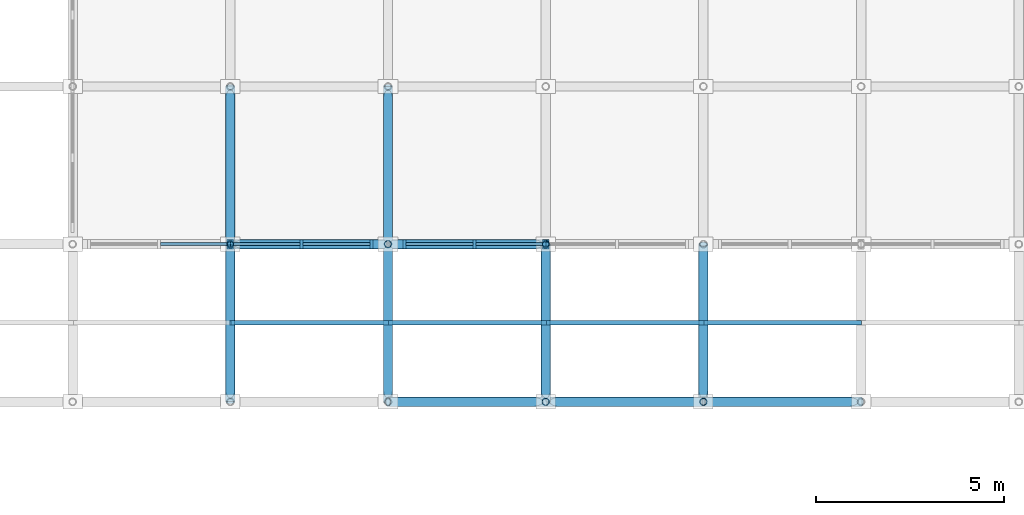
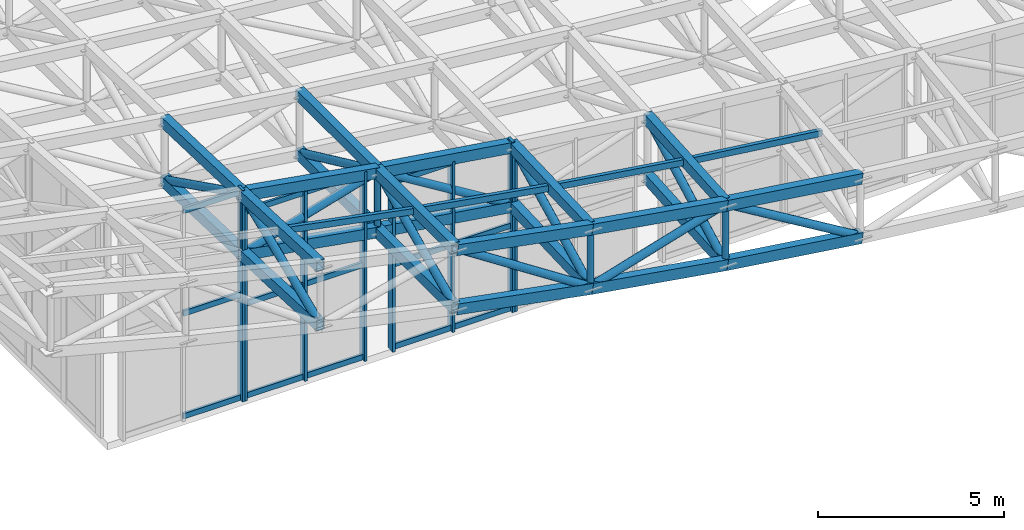
# One storey, part 23 of 111: 65 members, 4 elements without a shape of their own.
"""IFC4 building model written with IfcOpenShell, lengths in metres."""

from ifc_helpers import new_model, si_unit, direction, frame, origin, origin_2d, place, context, subcontext, project, spatial, rectangle, hollow_rectangle, hollow_circle, extrude, material, material_profile, profile_set, type_object, element, aggregate, save


model = new_model("IFC4")

# Units and contexts
model_context = context("Model", 3, precision=1e-05, world=origin(), true_north=direction((0.0, 1.0)))
body_context = subcontext(model_context, "Body", "Model", "MODEL_VIEW")
ifc_project = project(units=[si_unit("LENGTHUNIT", "METRE"), si_unit("AREAUNIT", "SQUARE_METRE"), si_unit("VOLUMEUNIT", "CUBIC_METRE"), si_unit("PLANEANGLEUNIT", "RADIAN"), si_unit("MASSUNIT", "GRAM", prefix="KILO")], contexts=[model_context])

# Site, building, storey
site_placement = place(None, origin())
site = spatial("IfcSite", under=ifc_project, at=site_placement, CompositionType="ELEMENT")
building_placement = place(site_placement, origin())
building = spatial("IfcBuilding", under=site, at=building_placement, Name="Cumbredor Promenade Congress Hotel", CompositionType="ELEMENT")
storey_placement = place(building_placement, frame((0.0, 0.0, 15.1201171875)))
storey = spatial("IfcBuildingStorey", under=building, at=storey_placement, Name="L04", CompositionType="ELEMENT", Elevation=15.1201171875)

# Curtain wall, member
ifc_material_1 = material(Name="Thermally broken anodized aluminium and low-E glass", Category="aluminium")
curtain_wall_type = type_object("IfcCurtainWallType", Name="Stepped Pavilion Clerestory Curtain Wall CW-06", PredefinedType="NOTDEFINED", material=ifc_material_1)
curtain_wall_1_placement = place(storey_placement, origin())
curtain_wall_1 = element("IfcCurtainWall", 1, at=curtain_wall_1_placement, inside=storey, type_object=curtain_wall_type, Name="Pre-Function and Breakout Meeting Forum S Glazed Clerestory 1", PredefinedType="NOTDEFINED")
ifc_material_2 = material(Name="Thermally broken anodized aluminium", Category="aluminium")
ifc_material_profile_1 = material_profile(ifc_material_2, rectangle(XDim=0.0849609375, YDim=0.260009765625, at=origin_2d()), Name="ALU MULLION CLERESTORY 85x260")
ifc_profile_set_1 = profile_set([ifc_material_profile_1], Name="Thermally broken anodized aluminium")
member_type_1 = type_object("IfcMemberType", Name="Curtain Wall Mullion ML-04", PredefinedType="MULLION", material=ifc_profile_set_1)
member_1_placement = place(storey_placement, frame((96.56005859375, 84.0, -0.01806640625), z_axis=(0.0, 0.0, 1.0), x_axis=(1.0, 0.0, 0.0)))
member_1 = element("IfcMember", 2, at=member_1_placement, type_object=member_type_1, Name="Pre-Function and Breakout Meeting Forum S Glazed Clerestory 1 Mullion 3", PredefinedType="MULLION", context=body_context, shape_type="SweptSolid", body=[
    extrude(rectangle(XDim=0.0849609375, YDim=0.260009765625, at=origin_2d()), origin(), (0.0, 0.0, 1.0), 6.959228515625),
])

# Curtain wall, members
curtain_wall_2_placement = place(storey_placement, origin())
curtain_wall_2 = element("IfcCurtainWall", 3, at=curtain_wall_2_placement, inside=storey, type_object=curtain_wall_type, Name="Pre-Function and Breakout Meeting Forum S Glazed Clerestory 2", PredefinedType="NOTDEFINED")
member_2_placement = place(storey_placement, frame((96.639892578125, 84.0, -0.01806640625), z_axis=(0.0, 0.0, 1.0), x_axis=(1.0, 0.0, 0.0)))
member_2 = element("IfcMember", 4, at=member_2_placement, type_object=member_type_1, Name="Pre-Function and Breakout Meeting Forum S Glazed Clerestory 2 Mullion 1", PredefinedType="MULLION", context=body_context, shape_type="SweptSolid", body=[
    extrude(rectangle(XDim=0.0849609375, YDim=0.260009765625, at=origin_2d()), origin(), (0.0, 0.0, 1.0), 6.243896484375),
])
member_3_placement = place(storey_placement, frame((98.5, 84.0, -0.01806640625), z_axis=(0.0, 0.0, 1.0), x_axis=(1.0, 0.0, 0.0)))
member_3 = element("IfcMember", 5, at=member_3_placement, type_object=member_type_1, Name="Pre-Function and Breakout Meeting Forum S Glazed Clerestory 2 Mullion 2", PredefinedType="MULLION", context=body_context, shape_type="SweptSolid", body=[
    extrude(rectangle(XDim=0.0849609375, YDim=0.260009765625, at=origin_2d()), origin(), (0.0, 0.0, 1.0), 6.243896484375),
])
member_4_placement = place(storey_placement, frame((100.360107421875, 84.0, -0.01806640625), z_axis=(0.0, 0.0, 1.0), x_axis=(1.0, 0.0, 0.0)))
member_4 = element("IfcMember", 6, at=member_4_placement, type_object=member_type_1, Name="Pre-Function and Breakout Meeting Forum S Glazed Clerestory 2 Mullion 3", PredefinedType="MULLION", context=body_context, shape_type="SweptSolid", body=[
    extrude(rectangle(XDim=0.0849609375, YDim=0.260009765625, at=origin_2d()), origin(), (0.0, 0.0, 1.0), 6.243896484375),
])

curtain_wall_3_placement = place(storey_placement, origin())
curtain_wall_3 = element("IfcCurtainWall", 7, at=curtain_wall_3_placement, inside=storey, type_object=curtain_wall_type, Name="Pre-Function and Breakout Meeting Forum S Glazed Clerestory 3", PredefinedType="NOTDEFINED")
member_5_placement = place(storey_placement, frame((101.239990234375, 84.0, -0.01806640625), z_axis=(0.0, 0.0, 1.0), x_axis=(1.0, 0.0, 0.0)))
member_5 = element("IfcMember", 8, at=member_5_placement, type_object=member_type_1, Name="Pre-Function and Breakout Meeting Forum S Glazed Clerestory 3 Mullion 1", PredefinedType="MULLION", context=body_context, shape_type="SweptSolid", body=[
    extrude(rectangle(XDim=0.0849609375, YDim=0.260009765625, at=origin_2d()), origin(), (0.0, 0.0, 1.0), 5.6123046875),
])
member_6_placement = place(storey_placement, frame((103.10009765625, 84.0, -0.01806640625), z_axis=(0.0, 0.0, 1.0), x_axis=(1.0, 0.0, 0.0)))
member_6 = element("IfcMember", 9, at=member_6_placement, type_object=member_type_1, Name="Pre-Function and Breakout Meeting Forum S Glazed Clerestory 3 Mullion 2", PredefinedType="MULLION", context=body_context, shape_type="SweptSolid", body=[
    extrude(rectangle(XDim=0.0849609375, YDim=0.260009765625, at=origin_2d()), origin(), (0.0, 0.0, 1.0), 5.6123046875),
])
member_7_placement = place(storey_placement, frame((104.9599609375, 84.0, -0.01806640625), z_axis=(0.0, 0.0, 1.0), x_axis=(1.0, 0.0, 0.0)))
member_7 = element("IfcMember", 10, at=member_7_placement, type_object=member_type_1, Name="Pre-Function and Breakout Meeting Forum S Glazed Clerestory 3 Mullion 3", PredefinedType="MULLION", context=body_context, shape_type="SweptSolid", body=[
    extrude(rectangle(XDim=0.0849609375, YDim=0.260009765625, at=origin_2d()), origin(), (0.0, 0.0, 1.0), 5.6123046875),
])

# Curtain wall, member
curtain_wall_4_placement = place(storey_placement, origin())
curtain_wall_4 = element("IfcCurtainWall", 11, at=curtain_wall_4_placement, inside=storey, type_object=curtain_wall_type, Name="Pre-Function and Breakout Meeting Forum S Glazed Clerestory 4", PredefinedType="NOTDEFINED")
member_8_placement = place(storey_placement, frame((105.0400390625, 84.0, -0.01806640625), z_axis=(0.0, 0.0, 1.0), x_axis=(1.0, 0.0, 0.0)))
member_8 = element("IfcMember", 12, at=member_8_placement, type_object=member_type_1, Name="Pre-Function and Breakout Meeting Forum S Glazed Clerestory 4 Mullion 1", PredefinedType="MULLION", context=body_context, shape_type="SweptSolid", body=[
    extrude(rectangle(XDim=0.0849609375, YDim=0.260009765625, at=origin_2d()), origin(), (0.0, 0.0, 1.0), 5.064453125),
])
aggregate(curtain_wall_4, [member_8])

# Member
ifc_material_profile_2 = material_profile(ifc_material_2, rectangle(XDim=0.080078125, YDim=0.179931640625, at=origin_2d()), Name="ALU TRANSOM 80x180")
ifc_profile_set_2 = profile_set([ifc_material_profile_2], Name="Thermally broken anodized aluminium")
member_type_2 = type_object("IfcMemberType", Name="Curtain Wall Transom TR-03", PredefinedType="USERDEFINED", material=ifc_profile_set_2)
member_9_placement = place(storey_placement, frame((94.742431640625, 84.0, 0.079833984375), z_axis=(1.0, 0.0, 0.0), x_axis=(0.0, 1.0, 0.0)))
member_9 = element("IfcMember", 13, at=member_9_placement, type_object=member_type_2, Name="Pre-Function and Breakout Meeting Forum S Glazed Clerestory 1 Transom 2.1", ObjectType="TRANSOM", PredefinedType="USERDEFINED", context=body_context, shape_type="SweptSolid", body=[
    extrude(rectangle(XDim=0.080078125, YDim=0.179931640625, at=origin_2d()), origin(), (0.0, 0.0, 1.0), 1.775146484375),
])

member_10_placement = place(storey_placement, frame((94.742431640625, 84.0, 3.4599609375), z_axis=(1.0, 0.0, 0.0), x_axis=(0.0, 1.0, 0.0)))
member_10 = element("IfcMember", 14, at=member_10_placement, type_object=member_type_2, Name="Pre-Function and Breakout Meeting Forum S Glazed Clerestory 1 Transom 2.2", ObjectType="TRANSOM", PredefinedType="USERDEFINED", context=body_context, shape_type="SweptSolid", body=[
    extrude(rectangle(XDim=0.080078125, YDim=0.179931640625, at=origin_2d()), origin(), (0.0, 0.0, 1.0), 1.775146484375),
])

member_11_placement = place(storey_placement, frame((94.742431640625, 84.0, 6.83984375), z_axis=(1.0, 0.0, 0.0), x_axis=(0.0, 1.0, 0.0)))
member_11 = element("IfcMember", 15, at=member_11_placement, type_object=member_type_2, Name="Pre-Function and Breakout Meeting Forum S Glazed Clerestory 1 Transom 2.3", ObjectType="TRANSOM", PredefinedType="USERDEFINED", context=body_context, shape_type="SweptSolid", body=[
    extrude(rectangle(XDim=0.080078125, YDim=0.179931640625, at=origin_2d()), origin(), (0.0, 0.0, 1.0), 1.775146484375),
])

aggregate(curtain_wall_1, [member_1, member_9, member_10, member_11])

member_12_placement = place(storey_placement, frame((96.6826171875, 84.0, 0.079833984375), z_axis=(1.0, 0.0, 0.0), x_axis=(0.0, 1.0, 0.0)))
member_12 = element("IfcMember", 16, at=member_12_placement, type_object=member_type_2, Name="Pre-Function and Breakout Meeting Forum S Glazed Clerestory 2 Transom 1.1", ObjectType="TRANSOM", PredefinedType="USERDEFINED", context=body_context, shape_type="SweptSolid", body=[
    extrude(rectangle(XDim=0.080078125, YDim=0.179931640625, at=origin_2d()), origin(), (0.0, 0.0, 1.0), 1.77490234375),
])

member_13_placement = place(storey_placement, frame((96.6826171875, 84.0, 3.10986328125), z_axis=(1.0, 0.0, 0.0), x_axis=(0.0, 1.0, 0.0)))
member_13 = element("IfcMember", 17, at=member_13_placement, type_object=member_type_2, Name="Pre-Function and Breakout Meeting Forum S Glazed Clerestory 2 Transom 1.2", ObjectType="TRANSOM", PredefinedType="USERDEFINED", context=body_context, shape_type="SweptSolid", body=[
    extrude(rectangle(XDim=0.080078125, YDim=0.179931640625, at=origin_2d()), origin(), (0.0, 0.0, 1.0), 1.77490234375),
])

member_14_placement = place(storey_placement, frame((96.6826171875, 84.0, 6.1298828125), z_axis=(1.0, 0.0, 0.0), x_axis=(0.0, 1.0, 0.0)))
member_14 = element("IfcMember", 18, at=member_14_placement, type_object=member_type_2, Name="Pre-Function and Breakout Meeting Forum S Glazed Clerestory 2 Transom 1.3", ObjectType="TRANSOM", PredefinedType="USERDEFINED", context=body_context, shape_type="SweptSolid", body=[
    extrude(rectangle(XDim=0.080078125, YDim=0.179931640625, at=origin_2d()), origin(), (0.0, 0.0, 1.0), 1.77490234375),
])

member_15_placement = place(storey_placement, frame((98.54248046875, 84.0, 0.079833984375), z_axis=(1.0, 0.0, 0.0), x_axis=(0.0, 1.0, 0.0)))
member_15 = element("IfcMember", 19, at=member_15_placement, type_object=member_type_2, Name="Pre-Function and Breakout Meeting Forum S Glazed Clerestory 2 Transom 2.1", ObjectType="TRANSOM", PredefinedType="USERDEFINED", context=body_context, shape_type="SweptSolid", body=[
    extrude(rectangle(XDim=0.080078125, YDim=0.179931640625, at=origin_2d()), origin(), (0.0, 0.0, 1.0), 1.77490234375),
])

member_16_placement = place(storey_placement, frame((98.54248046875, 84.0, 3.10986328125), z_axis=(1.0, 0.0, 0.0), x_axis=(0.0, 1.0, 0.0)))
member_16 = element("IfcMember", 20, at=member_16_placement, type_object=member_type_2, Name="Pre-Function and Breakout Meeting Forum S Glazed Clerestory 2 Transom 2.2", ObjectType="TRANSOM", PredefinedType="USERDEFINED", context=body_context, shape_type="SweptSolid", body=[
    extrude(rectangle(XDim=0.080078125, YDim=0.179931640625, at=origin_2d()), origin(), (0.0, 0.0, 1.0), 1.77490234375),
])

member_17_placement = place(storey_placement, frame((98.54248046875, 84.0, 6.1298828125), z_axis=(1.0, 0.0, 0.0), x_axis=(0.0, 1.0, 0.0)))
member_17 = element("IfcMember", 21, at=member_17_placement, type_object=member_type_2, Name="Pre-Function and Breakout Meeting Forum S Glazed Clerestory 2 Transom 2.3", ObjectType="TRANSOM", PredefinedType="USERDEFINED", context=body_context, shape_type="SweptSolid", body=[
    extrude(rectangle(XDim=0.080078125, YDim=0.179931640625, at=origin_2d()), origin(), (0.0, 0.0, 1.0), 1.77490234375),
])

aggregate(curtain_wall_2, [member_2, member_3, member_4, member_12, member_13, member_14, member_15, member_16, member_17])

member_18_placement = place(storey_placement, frame((101.282470703125, 84.0, 0.079833984375), z_axis=(1.0, 0.0, 0.0), x_axis=(0.0, 1.0, 0.0)))
member_18 = element("IfcMember", 22, at=member_18_placement, type_object=member_type_2, Name="Pre-Function and Breakout Meeting Forum S Glazed Clerestory 3 Transom 1.1", ObjectType="TRANSOM", PredefinedType="USERDEFINED", context=body_context, shape_type="SweptSolid", body=[
    extrude(rectangle(XDim=0.080078125, YDim=0.179931640625, at=origin_2d()), origin(), (0.0, 0.0, 1.0), 1.775146484375),
])

member_19_placement = place(storey_placement, frame((101.282470703125, 84.0, 2.789794921875), z_axis=(1.0, 0.0, 0.0), x_axis=(0.0, 1.0, 0.0)))
member_19 = element("IfcMember", 23, at=member_19_placement, type_object=member_type_2, Name="Pre-Function and Breakout Meeting Forum S Glazed Clerestory 3 Transom 1.2", ObjectType="TRANSOM", PredefinedType="USERDEFINED", context=body_context, shape_type="SweptSolid", body=[
    extrude(rectangle(XDim=0.080078125, YDim=0.179931640625, at=origin_2d()), origin(), (0.0, 0.0, 1.0), 1.775146484375),
])

member_20_placement = place(storey_placement, frame((101.282470703125, 84.0, 5.5), z_axis=(1.0, 0.0, 0.0), x_axis=(0.0, 1.0, 0.0)))
member_20 = element("IfcMember", 24, at=member_20_placement, type_object=member_type_2, Name="Pre-Function and Breakout Meeting Forum S Glazed Clerestory 3 Transom 1.3", ObjectType="TRANSOM", PredefinedType="USERDEFINED", context=body_context, shape_type="SweptSolid", body=[
    extrude(rectangle(XDim=0.080078125, YDim=0.179931640625, at=origin_2d()), origin(), (0.0, 0.0, 1.0), 1.775146484375),
])

member_21_placement = place(storey_placement, frame((103.142578125, 84.0, 0.079833984375), z_axis=(1.0, 0.0, 0.0), x_axis=(0.0, 1.0, 0.0)))
member_21 = element("IfcMember", 25, at=member_21_placement, type_object=member_type_2, Name="Pre-Function and Breakout Meeting Forum S Glazed Clerestory 3 Transom 2.1", ObjectType="TRANSOM", PredefinedType="USERDEFINED", context=body_context, shape_type="SweptSolid", body=[
    extrude(rectangle(XDim=0.080078125, YDim=0.179931640625, at=origin_2d()), origin(), (0.0, 0.0, 1.0), 1.77490234375),
])

member_22_placement = place(storey_placement, frame((103.142578125, 84.0, 2.789794921875), z_axis=(1.0, 0.0, 0.0), x_axis=(0.0, 1.0, 0.0)))
member_22 = element("IfcMember", 26, at=member_22_placement, type_object=member_type_2, Name="Pre-Function and Breakout Meeting Forum S Glazed Clerestory 3 Transom 2.2", ObjectType="TRANSOM", PredefinedType="USERDEFINED", context=body_context, shape_type="SweptSolid", body=[
    extrude(rectangle(XDim=0.080078125, YDim=0.179931640625, at=origin_2d()), origin(), (0.0, 0.0, 1.0), 1.77490234375),
])

member_23_placement = place(storey_placement, frame((103.142578125, 84.0, 5.5), z_axis=(1.0, 0.0, 0.0), x_axis=(0.0, 1.0, 0.0)))
member_23 = element("IfcMember", 27, at=member_23_placement, type_object=member_type_2, Name="Pre-Function and Breakout Meeting Forum S Glazed Clerestory 3 Transom 2.3", ObjectType="TRANSOM", PredefinedType="USERDEFINED", context=body_context, shape_type="SweptSolid", body=[
    extrude(rectangle(XDim=0.080078125, YDim=0.179931640625, at=origin_2d()), origin(), (0.0, 0.0, 1.0), 1.77490234375),
])

aggregate(curtain_wall_3, [member_5, member_6, member_7, member_18, member_19, member_20, member_21, member_22, member_23])

# Members
ifc_material_3 = material(Name="Steel ASTM A500 Grade C", Category="steel")
ifc_material_profile_3 = material_profile(ifc_material_3, hollow_rectangle(XDim=0.25, YDim=0.35009765625, WallThickness=0.01611328125, at=origin_2d()), Name="HSS 350x250x16")
ifc_profile_set_3 = profile_set([ifc_material_profile_3], Name="Steel ASTM A500 Grade C")
member_type_3 = type_object("IfcMemberType", Name="Forum Roof Truss Chord", PredefinedType="CHORD", material=ifc_profile_set_3)
member_24_placement = place(storey_placement, frame((100.800048828125, 79.800048828125, 6.0263671875), z_axis=(0.982660082825, 0.0, -0.185416184901), x_axis=(0.0, 1.0, 0.0)))
element("IfcMember", 28, at=member_24_placement, inside=storey, type_object=member_type_3, Name="Pre-Function and Breakout Meeting Forum X Top Chord 4.1", PredefinedType="CHORD", context=body_context, shape_type="SweptSolid", body=[
    extrude(hollow_rectangle(XDim=0.25, YDim=0.35009765625, WallThickness=0.01611328125, at=origin_2d()), origin(), (0.0, 0.0, 1.0), 4.274169921875),
])
member_25_placement = place(storey_placement, frame((100.800048828125, 79.800048828125, 4.076171875), z_axis=(0.982670488974, 0.0, -0.185361026375), x_axis=(0.0, 1.0, 0.0)))
element("IfcMember", 29, at=member_25_placement, inside=storey, type_object=member_type_3, Name="Pre-Function and Breakout Meeting Forum X Bottom Chord 4.1", PredefinedType="CHORD", context=body_context, shape_type="SweptSolid", body=[
    extrude(hollow_rectangle(XDim=0.25, YDim=0.35009765625, WallThickness=0.01611328125, at=origin_2d()), origin(), (0.0, 0.0, 1.0), 4.27392578125),
])
for number, where, z_axis, x_axis, name in (
    (30, (105.0, 79.800048828125, 5.23388671875), (0.986884056169, 0.0, -0.161430665236), (0.0, 1.0, 0.0), "Pre-Function and Breakout Meeting Forum X Top Chord 5.1"),
    (31, (105.0, 79.800048828125, 3.283935546875), (0.986884056169, 0.0, -0.161430665236), (0.0, 1.0, 0.0), "Pre-Function and Breakout Meeting Forum X Bottom Chord 5.1"),
):
    element("IfcMember", number, at=place(storey_placement, frame(where, z_axis=z_axis, x_axis=x_axis)), inside=storey, type_object=member_type_3, Name=name, PredefinedType="CHORD", context=body_context, shape_type="SweptSolid", body=[
        extrude(hollow_rectangle(XDim=0.25, YDim=0.35009765625, WallThickness=0.01611328125, at=origin_2d()), origin(), (0.0, 0.0, 1.0), 4.255859375),
    ])
for number, where, z_axis, x_axis, name in (
    (32, (109.199951171875, 79.800048828125, 4.546875), (0.990557326963, 0.0, -0.137099168488), (0.0, 1.0, 0.0), "Pre-Function and Breakout Meeting Forum X Top Chord 6.1"),
    (33, (109.199951171875, 79.800048828125, 2.596923828125), (0.990557326963, 0.0, -0.137099168488), (0.0, 1.0, 0.0), "Pre-Function and Breakout Meeting Forum X Bottom Chord 6.1"),
):
    element("IfcMember", number, at=place(storey_placement, frame(where, z_axis=z_axis, x_axis=x_axis)), inside=storey, type_object=member_type_3, Name=name, PredefinedType="CHORD", context=body_context, shape_type="SweptSolid", body=[
        extrude(hollow_rectangle(XDim=0.25, YDim=0.35009765625, WallThickness=0.01611328125, at=origin_2d()), origin(), (0.0, 0.0, 1.0), 4.239990234375),
    ])
for number, where, z_axis, x_axis, name in (
    (34, (96.60009765625, 84.0, 6.740234375), (0.985803819477, 0.0, -0.167901249263), (0.0, 1.0, 0.0), "Pre-Function and Breakout Meeting Forum X Top Chord 3.2"),
    (35, (96.60009765625, 84.0, 4.790283203125), (0.98579433314, 0.0, -0.167956937187), (0.0, 1.0, 0.0), "Pre-Function and Breakout Meeting Forum X Bottom Chord 3.2"),
):
    element("IfcMember", number, at=place(storey_placement, frame(where, z_axis=z_axis, x_axis=x_axis)), inside=storey, type_object=member_type_3, Name=name, PredefinedType="CHORD", context=body_context, shape_type="SweptSolid", body=[
        extrude(hollow_rectangle(XDim=0.25, YDim=0.35009765625, WallThickness=0.01611328125, at=origin_2d()), origin(), (0.0, 0.0, 1.0), 4.260498046875),
    ])
member_26_placement = place(storey_placement, frame((100.800048828125, 84.0, 6.02490234375), z_axis=(0.988872595274, 0.0, -0.14876488267), x_axis=(0.0, 1.0, 0.0)))
element("IfcMember", 36, at=member_26_placement, inside=storey, type_object=member_type_3, Name="Pre-Function and Breakout Meeting Forum X Top Chord 4.2", PredefinedType="CHORD", context=body_context, shape_type="SweptSolid", body=[
    extrude(hollow_rectangle(XDim=0.25, YDim=0.35009765625, WallThickness=0.01611328125, at=origin_2d()), origin(), (0.0, 0.0, 1.0), 4.247314453125),
])
member_27_placement = place(storey_placement, frame((100.800048828125, 84.0, 4.07470703125), z_axis=(0.988881049981, 0.0, -0.148708671528), x_axis=(0.0, 1.0, 0.0)))
element("IfcMember", 37, at=member_27_placement, inside=storey, type_object=member_type_3, Name="Pre-Function and Breakout Meeting Forum X Bottom Chord 4.2", PredefinedType="CHORD", context=body_context, shape_type="SweptSolid", body=[
    extrude(hollow_rectangle(XDim=0.25, YDim=0.35009765625, WallThickness=0.01611328125, at=origin_2d()), origin(), (0.0, 0.0, 1.0), 4.2470703125),
])
for number, where, z_axis, x_axis, name in (
    (38, (96.60009765625, 79.800048828125, 6.923828125), (0.0, 0.99904594053, -0.043671600725), (-1.0, 0.0, 0.0), "Pre-Function and Breakout Meeting Forum Y Top Chord 3.1"),
    (39, (96.60009765625, 79.800048828125, 4.973876953125), (0.0, 0.99904594053, -0.043671600725), (-1.0, 0.0, 0.0), "Pre-Function and Breakout Meeting Forum Y Bottom Chord 3.1"),
):
    element("IfcMember", number, at=place(storey_placement, frame(where, z_axis=z_axis, x_axis=x_axis)), inside=storey, type_object=member_type_3, Name=name, PredefinedType="CHORD", context=body_context, shape_type="SweptSolid", body=[
        extrude(hollow_rectangle(XDim=0.25, YDim=0.35009765625, WallThickness=0.01611328125, at=origin_2d()), origin(), (0.0, 0.0, 1.0), 4.203857421875),
    ])
for number, where, z_axis, x_axis, name in (
    (40, (96.60009765625, 84.0, 6.740234375), (0.0, 0.999443810267, -0.033347715346), (-1.0, 0.0, 0.0), "Pre-Function and Breakout Meeting Forum Y Top Chord 3.2"),
    (41, (96.60009765625, 84.0, 4.790283203125), (0.0, 0.999443810267, -0.033347715346), (-1.0, 0.0, 0.0), "Pre-Function and Breakout Meeting Forum Y Bottom Chord 3.2"),
):
    element("IfcMember", number, at=place(storey_placement, frame(where, z_axis=z_axis, x_axis=x_axis)), inside=storey, type_object=member_type_3, Name=name, PredefinedType="CHORD", context=body_context, shape_type="SweptSolid", body=[
        extrude(hollow_rectangle(XDim=0.25, YDim=0.35009765625, WallThickness=0.01611328125, at=origin_2d()), origin(), (0.0, 0.0, 1.0), 4.202392578125),
    ])
for number, where, z_axis, x_axis, name in (
    (42, (100.800048828125, 79.800048828125, 6.0263671875), (0.0, 0.999999939178, -0.000348776355), (-1.0, 0.0, 0.0), "Pre-Function and Breakout Meeting Forum Y Top Chord 4.1"),
    (43, (100.800048828125, 79.800048828125, 4.076171875), (0.0, 0.999999939178, -0.000348776355), (-1.0, 0.0, 0.0), "Pre-Function and Breakout Meeting Forum Y Bottom Chord 4.1"),
    (44, (100.800048828125, 84.0, 6.02490234375), (0.0, 0.999999972968, 0.000232517578), (-1.0, 0.0, 0.0), "Pre-Function and Breakout Meeting Forum Y Top Chord 4.2"),
    (45, (100.800048828125, 84.0, 4.07470703125), (0.0, 0.999999972968, 0.000232517578), (-1.0, 0.0, 0.0), "Pre-Function and Breakout Meeting Forum Y Bottom Chord 4.2"),
):
    element("IfcMember", number, at=place(storey_placement, frame(where, z_axis=z_axis, x_axis=x_axis)), inside=storey, type_object=member_type_3, Name=name, PredefinedType="CHORD", context=body_context, shape_type="SweptSolid", body=[
        extrude(hollow_rectangle(XDim=0.25, YDim=0.35009765625, WallThickness=0.01611328125, at=origin_2d()), origin(), (0.0, 0.0, 1.0), 4.199951171875),
    ])
for number, where, z_axis, x_axis, name in (
    (46, (105.0, 79.800048828125, 5.23388671875), (0.0, 0.999282553953, 0.037873174747), (-1.0, 0.0, 0.0), "Pre-Function and Breakout Meeting Forum Y Top Chord 5.1"),
    (47, (105.0, 79.800048828125, 3.283935546875), (0.0, 0.999282553953, 0.037873174747), (-1.0, 0.0, 0.0), "Pre-Function and Breakout Meeting Forum Y Bottom Chord 5.1"),
):
    element("IfcMember", number, at=place(storey_placement, frame(where, z_axis=z_axis, x_axis=x_axis)), inside=storey, type_object=member_type_3, Name=name, PredefinedType="CHORD", context=body_context, shape_type="SweptSolid", body=[
        extrude(hollow_rectangle(XDim=0.25, YDim=0.35009765625, WallThickness=0.01611328125, at=origin_2d()), origin(), (0.0, 0.0, 1.0), 4.202880859375),
    ])
for number, where, z_axis, x_axis, name in (
    (48, (109.199951171875, 79.800048828125, 4.546875), (0.0, 0.997482484736, 0.070913275524), (-1.0, 0.0, 0.0), "Pre-Function and Breakout Meeting Forum Y Top Chord 6.1"),
    (49, (109.199951171875, 79.800048828125, 2.596923828125), (0.0, 0.997486584501, 0.070855583692), (-1.0, 0.0, 0.0), "Pre-Function and Breakout Meeting Forum Y Bottom Chord 6.1"),
):
    element("IfcMember", number, at=place(storey_placement, frame(where, z_axis=z_axis, x_axis=x_axis)), inside=storey, type_object=member_type_3, Name=name, PredefinedType="CHORD", context=body_context, shape_type="SweptSolid", body=[
        extrude(hollow_rectangle(XDim=0.25, YDim=0.35009765625, WallThickness=0.01611328125, at=origin_2d()), origin(), (0.0, 0.0, 1.0), 4.21044921875),
    ])
ifc_material_profile_4 = material_profile(ifc_material_3, hollow_rectangle(XDim=0.1201171875, YDim=0.199951171875, WallThickness=0.010009765625, at=origin_2d()), Name="HSS 200x120x10")
ifc_profile_set_4 = profile_set([ifc_material_profile_4], Name="Steel ASTM A500 Grade C")
member_type_4 = type_object("IfcMemberType", Name="Roof Purlin HSS200x120", PredefinedType="PURLIN", material=ifc_profile_set_4)
member_28_placement = place(storey_placement, frame((96.60009765625, 81.89990234375, 6.81201171875), z_axis=(0.982062187843, 0.0, -0.188557310146), x_axis=(0.0, 1.0, 0.0)))
element("IfcMember", 50, at=member_28_placement, inside=storey, type_object=member_type_4, Name="Pre-Function and Breakout Meeting Forum Roof Eave Purlin 3.1", PredefinedType="PURLIN", context=body_context, shape_type="SweptSolid", body=[
    extrude(hollow_rectangle(XDim=0.1201171875, YDim=0.199951171875, WallThickness=0.010009765625, at=origin_2d()), origin(), (0.0, 0.0, 1.0), 4.276611328125),
])
member_29_placement = place(storey_placement, frame((100.800048828125, 81.89990234375, 6.005615234375), z_axis=(0.985936316925, 0.0, -0.167121449756), x_axis=(0.0, 1.0, 0.0)))
element("IfcMember", 51, at=member_29_placement, inside=storey, type_object=member_type_4, Name="Pre-Function and Breakout Meeting Forum Roof Eave Purlin 4.1", PredefinedType="PURLIN", context=body_context, shape_type="SweptSolid", body=[
    extrude(hollow_rectangle(XDim=0.1201171875, YDim=0.199951171875, WallThickness=0.010009765625, at=origin_2d()), origin(), (0.0, 0.0, 1.0), 4.259765625),
])
member_30_placement = place(storey_placement, frame((105.0, 81.89990234375, 5.293701171875), z_axis=(0.989366195277, 0.0, -0.145445974996), x_axis=(0.0, 1.0, 0.0)))
element("IfcMember", 52, at=member_30_placement, inside=storey, type_object=member_type_4, Name="Pre-Function and Breakout Meeting Forum Roof Eave Purlin 5.1", PredefinedType="PURLIN", context=body_context, shape_type="SweptSolid", body=[
    extrude(hollow_rectangle(XDim=0.1201171875, YDim=0.199951171875, WallThickness=0.010009765625, at=origin_2d()), origin(), (0.0, 0.0, 1.0), 4.2451171875),
])
member_31_placement = place(storey_placement, frame((109.199951171875, 81.89990234375, 4.67626953125), z_axis=(0.992344292741, 0.0, -0.123502245583), x_axis=(0.0, 1.0, 0.0)))
element("IfcMember", 53, at=member_31_placement, inside=storey, type_object=member_type_4, Name="Pre-Function and Breakout Meeting Forum Roof Eave Purlin 6.1", PredefinedType="PURLIN", context=body_context, shape_type="SweptSolid", body=[
    extrude(hollow_rectangle(XDim=0.1201171875, YDim=0.199951171875, WallThickness=0.010009765625, at=origin_2d()), origin(), (0.0, 0.0, 1.0), 4.232421875),
])
ifc_material_profile_5 = material_profile(ifc_material_3, hollow_circle(Radius=0.122314453125, WallThickness=0.012451171875, at=origin_2d()), Name="CHS 244.5x12.5")
ifc_profile_set_5 = profile_set([ifc_material_profile_5], Name="Steel ASTM A500 Grade C")
member_type_5 = type_object("IfcMemberType", Name="Space Frame Web Diagonal D2", PredefinedType="BRACE", material=ifc_profile_set_5)
member_32_placement = place(storey_placement, frame((100.800048828125, 79.800048828125, 6.0263671875), z_axis=(0.837306427751, 0.0, -0.546733889608), x_axis=(0.0, 1.0, 0.0)))
element("IfcMember", 54, at=member_32_placement, inside=storey, type_object=member_type_5, Name="Pre-Function and Breakout Meeting Forum X Web Diagonal 4.1", PredefinedType="BRACE", context=body_context, shape_type="SweptSolid", body=[
    extrude(hollow_circle(Radius=0.122314453125, WallThickness=0.012451171875, at=origin_2d()), origin(), (0.0, 0.0, 1.0), 5.01611328125),
])
member_33_placement = place(storey_placement, frame((105.0, 79.800048828125, 3.283935546875), z_axis=(0.957640699197, 0.0, 0.287965781372), x_axis=(0.0, 1.0, 0.0)))
element("IfcMember", 55, at=member_33_placement, inside=storey, type_object=member_type_5, Name="Pre-Function and Breakout Meeting Forum X Web Diagonal 5.1", PredefinedType="BRACE", context=body_context, shape_type="SweptSolid", body=[
    extrude(hollow_circle(Radius=0.122314453125, WallThickness=0.012451171875, at=origin_2d()), origin(), (0.0, 0.0, 1.0), 4.3857421875),
])
member_34_placement = place(storey_placement, frame((109.199951171875, 79.800048828125, 4.546875), z_axis=(0.856476492594, 0.0, -0.516186030065), x_axis=(0.0, 1.0, 0.0)))
element("IfcMember", 56, at=member_34_placement, inside=storey, type_object=member_type_5, Name="Pre-Function and Breakout Meeting Forum X Web Diagonal 6.1", PredefinedType="BRACE", context=body_context, shape_type="SweptSolid", body=[
    extrude(hollow_circle(Radius=0.122314453125, WallThickness=0.012451171875, at=origin_2d()), origin(), (0.0, 0.0, 1.0), 4.90380859375),
])
member_35_placement = place(storey_placement, frame((96.60009765625, 84.0, 4.790283203125), z_axis=(0.959406341943, 0.0, 0.282027429588), x_axis=(0.0, 1.0, 0.0)))
element("IfcMember", 57, at=member_35_placement, inside=storey, type_object=member_type_5, Name="Pre-Function and Breakout Meeting Forum X Web Diagonal 3.2", PredefinedType="BRACE", context=body_context, shape_type="SweptSolid", body=[
    extrude(hollow_circle(Radius=0.122314453125, WallThickness=0.012451171875, at=origin_2d()), origin(), (0.0, 0.0, 1.0), 4.377685546875),
])
member_36_placement = place(storey_placement, frame((100.800048828125, 84.0, 6.02490234375), z_axis=(0.851911561222, 0.0, -0.5236856804), x_axis=(0.0, 1.0, 0.0)))
element("IfcMember", 58, at=member_36_placement, inside=storey, type_object=member_type_5, Name="Pre-Function and Breakout Meeting Forum X Web Diagonal 4.2", PredefinedType="BRACE", context=body_context, shape_type="SweptSolid", body=[
    extrude(hollow_circle(Radius=0.122314453125, WallThickness=0.012451171875, at=origin_2d()), origin(), (0.0, 0.0, 1.0), 4.929931640625),
])
member_37_placement = place(storey_placement, frame((96.60009765625, 79.800048828125, 4.973876953125), z_axis=(0.0, 0.921795668475, 0.387676083324), x_axis=(-1.0, 0.0, 0.0)))
element("IfcMember", 59, at=member_37_placement, inside=storey, type_object=member_type_5, Name="Pre-Function and Breakout Meeting Forum Y Web Diagonal 3.1", PredefinedType="BRACE", context=body_context, shape_type="SweptSolid", body=[
    extrude(hollow_circle(Radius=0.122314453125, WallThickness=0.012451171875, at=origin_2d()), origin(), (0.0, 0.0, 1.0), 4.55615234375),
])
member_38_placement = place(storey_placement, frame((96.60009765625, 84.0, 6.740234375), z_axis=(0.0, 0.895268672792, -0.445526658593), x_axis=(-1.0, 0.0, 0.0)))
element("IfcMember", 60, at=member_38_placement, inside=storey, type_object=member_type_5, Name="Pre-Function and Breakout Meeting Forum Y Web Diagonal 3.2", PredefinedType="BRACE", context=body_context, shape_type="SweptSolid", body=[
    extrude(hollow_circle(Radius=0.122314453125, WallThickness=0.012451171875, at=origin_2d()), origin(), (0.0, 0.0, 1.0), 4.691162109375),
])
for number, where, z_axis, x_axis, name in (
    (61, (100.800048828125, 79.800048828125, 4.076171875), (0.0, 0.907111799886, 0.420889751014), (-1.0, 0.0, 0.0), "Pre-Function and Breakout Meeting Forum Y Web Diagonal 4.1"),
    (62, (100.800048828125, 84.0, 6.02490234375), (0.0, 0.907071533627, -0.42097652296), (-1.0, 0.0, 0.0), "Pre-Function and Breakout Meeting Forum Y Web Diagonal 4.2"),
):
    element("IfcMember", number, at=place(storey_placement, frame(where, z_axis=z_axis, x_axis=x_axis)), inside=storey, type_object=member_type_5, Name=name, PredefinedType="BRACE", context=body_context, shape_type="SweptSolid", body=[
        extrude(hollow_circle(Radius=0.122314453125, WallThickness=0.012451171875, at=origin_2d()), origin(), (0.0, 0.0, 1.0), 4.630126953125),
    ])
member_39_placement = place(storey_placement, frame((105.0, 79.800048828125, 3.283935546875), z_axis=(0.0, 0.89364662626, 0.448771330829), x_axis=(-1.0, 0.0, 0.0)))
element("IfcMember", 63, at=member_39_placement, inside=storey, type_object=member_type_5, Name="Pre-Function and Breakout Meeting Forum Y Web Diagonal 5.1", PredefinedType="BRACE", context=body_context, shape_type="SweptSolid", body=[
    extrude(hollow_circle(Radius=0.122314453125, WallThickness=0.012451171875, at=origin_2d()), origin(), (0.0, 0.0, 1.0), 4.69970703125),
])
member_40_placement = place(storey_placement, frame((109.199951171875, 79.800048828125, 2.596923828125), z_axis=(0.0, 0.881605644277, 0.471986745555), x_axis=(-1.0, 0.0, 0.0)))
element("IfcMember", 64, at=member_40_placement, inside=storey, type_object=member_type_5, Name="Pre-Function and Breakout Meeting Forum Y Web Diagonal 6.1", PredefinedType="BRACE", context=body_context, shape_type="SweptSolid", body=[
    extrude(hollow_circle(Radius=0.122314453125, WallThickness=0.012451171875, at=origin_2d()), origin(), (0.0, 0.0, 1.0), 4.763916015625),
])
ifc_material_profile_6 = material_profile(ifc_material_3, hollow_circle(Radius=0.096923828125, WallThickness=0.010009765625, at=origin_2d()), Name="CHS 193.7x10")
ifc_profile_set_6 = profile_set([ifc_material_profile_6], Name="Steel ASTM A500 Grade C")
member_type_6 = type_object("IfcMemberType", Name="Space Frame Web Post P1", PredefinedType="BRACE", material=ifc_profile_set_6)
member_41_placement = place(storey_placement, frame((96.60009765625, 84.0, 4.790283203125), z_axis=(0.0, 0.0, 1.0), x_axis=(1.0, 0.0, 0.0)))
element("IfcMember", 65, at=member_41_placement, inside=storey, type_object=member_type_6, Name="Pre-Function and Breakout Meeting Forum Space Frame Web Post 3.2", PredefinedType="BRACE", context=body_context, shape_type="SweptSolid", body=[
    extrude(hollow_circle(Radius=0.096923828125, WallThickness=0.010009765625, at=origin_2d()), origin(), (0.0, 0.0, 1.0), 1.949951171875),
])
member_42_placement = place(storey_placement, frame((100.800048828125, 84.0, 4.07470703125), z_axis=(0.0, 0.0, 1.0), x_axis=(1.0, 0.0, 0.0)))
element("IfcMember", 66, at=member_42_placement, inside=storey, type_object=member_type_6, Name="Pre-Function and Breakout Meeting Forum Space Frame Web Post 4.2", PredefinedType="BRACE", context=body_context, shape_type="SweptSolid", body=[
    extrude(hollow_circle(Radius=0.096923828125, WallThickness=0.010009765625, at=origin_2d()), origin(), (0.0, 0.0, 1.0), 1.9501953125),
])
for number, where, z_axis, x_axis, name in (
    (67, (105.0, 79.800048828125, 3.283935546875), (0.0, 0.0, 1.0), (1.0, 0.0, 0.0), "Pre-Function and Breakout Meeting Forum Space Frame Web Post 5.1"),
    (68, (105.0, 84.0, 3.443115234375), (0.0, 0.0, 1.0), (1.0, 0.0, 0.0), "Pre-Function and Breakout Meeting Forum Space Frame Web Post 5.2"),
    (69, (109.199951171875, 79.800048828125, 2.596923828125), (0.0, 0.0, 1.0), (1.0, 0.0, 0.0), "Pre-Function and Breakout Meeting Forum Space Frame Web Post 6.1"),
):
    element("IfcMember", number, at=place(storey_placement, frame(where, z_axis=z_axis, x_axis=x_axis)), inside=storey, type_object=member_type_6, Name=name, PredefinedType="BRACE", context=body_context, shape_type="SweptSolid", body=[
        extrude(hollow_circle(Radius=0.096923828125, WallThickness=0.010009765625, at=origin_2d()), origin(), (0.0, 0.0, 1.0), 1.949951171875),
    ])

save(model, "model.ifc")
